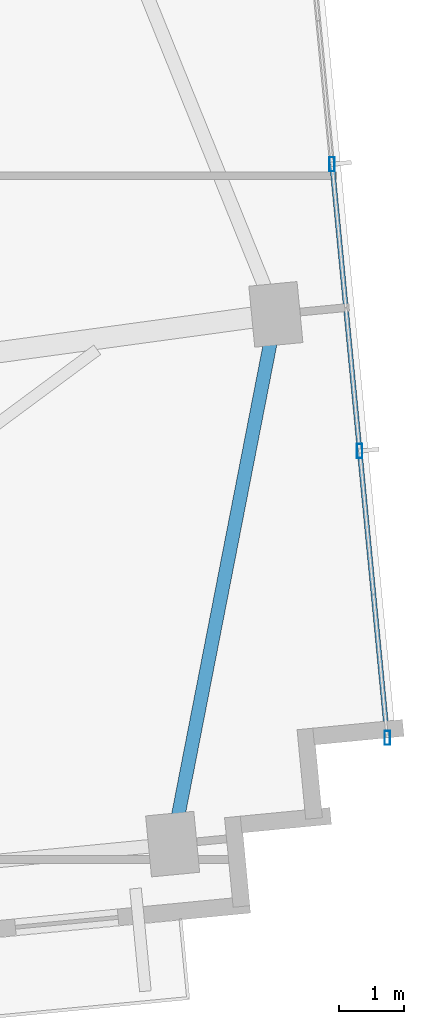
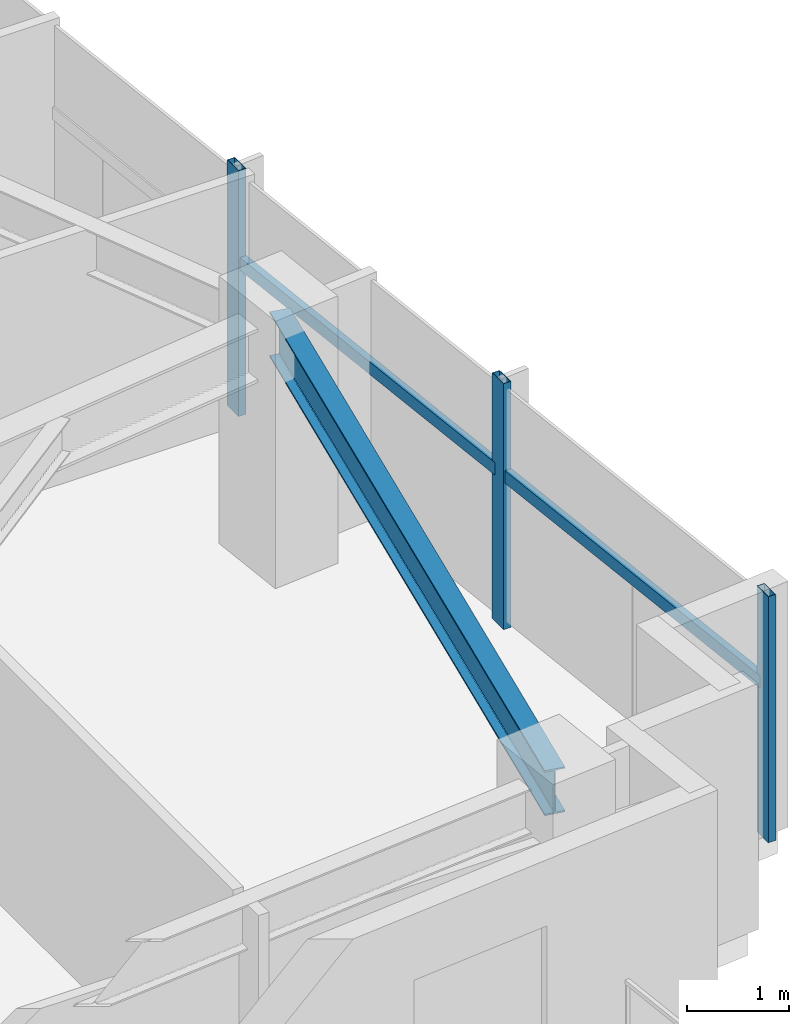
# One storey, part 10 of 18: 5 members, 1 beam, 1 element without a shape of its own.
"""IFC4 building model written with IfcOpenShell, lengths in metres."""

import ifcopenshell
import ifcopenshell.guid

model = None  # the IFC model being written
_history = None  # IfcOwnerHistory: only IFC2X3 demands one
_inside = {}  # id of a spatial element -> (the spatial element, [elements in it])
_under = {}  # id of a project, library or spatial element -> (it, [spatial elements below it])
_declared = {}  # id of a project -> (the project, [libraries it declares])
_typed = {}  # id of a type object -> (the type object, [elements of that type])
_made_of = {}  # id of a material, layer set ... -> (it, [elements and type objects made of it])


def new_model(schema):
    """Start an empty IFC model of exactly this schema.

    Asked for "IFC4X3", IfcOpenShell would pick the latest addendum, in which some entities
    have other attributes; the version numbers below select the first issue.
    IFC2X3 requires an IfcOwnerHistory on every rooted entity: one is made here for all.
    """
    global model, _history
    if schema == "IFC4X3":
        model = ifcopenshell.file(schema_version=(4, 3, 0, 0))
    else:
        model = ifcopenshell.file(schema=schema)
    _inside.clear()
    _under.clear()
    _declared.clear()
    _typed.clear()
    _made_of.clear()
    _history = None
    if model.schema == "IFC2X3":
        org = make("IfcOrganization", Name="unknown")
        user = make(
            "IfcPersonAndOrganization",
            ThePerson=make("IfcPerson", FamilyName="unknown"),
            TheOrganization=org,
        )
        app = make(
            "IfcApplication",
            ApplicationDeveloper=org,
            Version="unknown",
            ApplicationFullName="unknown",
            ApplicationIdentifier="unknown",
        )
        _history = make(
            "IfcOwnerHistory",
            OwningUser=user,
            OwningApplication=app,
            ChangeAction="ADDED",
            CreationDate=0,
        )
    return model


def make(cls, **values):
    """One entity of the class cls with the attributes given. An attribute that is None is left unset."""
    return model.create_entity(
        cls, **{name: value for name, value in values.items() if value is not None}
    )


def rooted(cls, **values):
    """An entity with a GlobalId (a new one), such as an element, a storey or a relation."""
    return make(cls, GlobalId=ifcopenshell.guid.new(), OwnerHistory=_history, **values)


def si_unit(unit_type, name, prefix=None):
    """IfcSIUnit, for example si_unit("LENGTHUNIT", "METRE", prefix="MILLI")."""
    return make("IfcSIUnit", UnitType=unit_type, Prefix=prefix, Name=name)


def assignment(units):
    """IfcUnitAssignment: the units of a project."""
    return None if units is None else make("IfcUnitAssignment", Units=units)


def point(xyz):
    """IfcCartesianPoint."""
    return None if xyz is None else make("IfcCartesianPoint", Coordinates=xyz)


def direction(xyz):
    """IfcDirection."""
    return None if xyz is None else make("IfcDirection", DirectionRatios=xyz)


def frame(location, z_axis=None, x_axis=None):
    """IfcAxis2Placement3D, a coordinate frame: its origin and axes. An axis left out is left unset."""
    return make(
        "IfcAxis2Placement3D",
        Location=point(location),
        Axis=direction(z_axis),
        RefDirection=direction(x_axis),
    )


def frame_2d(location, x_axis=None):
    """IfcAxis2Placement2D, a coordinate frame in the plane: its origin and x axis."""
    return make(
        "IfcAxis2Placement2D", Location=point(location), RefDirection=direction(x_axis)
    )


def origin():
    """The frame at (0, 0, 0) with its axes left unset."""
    return frame((0.0, 0.0, 0.0))


def origin_2d():
    """The frame at (0, 0) in the plane with its x axis left unset."""
    return frame_2d((0.0, 0.0))


def place(relative_to, where):
    """IfcLocalPlacement: puts the frame where relative to a parent placement (None: the world)."""
    return make(
        "IfcLocalPlacement", PlacementRelTo=relative_to, RelativePlacement=where
    )


def context(
    kind, dimensions, precision=None, world=None, true_north=None, identifier=None
):
    """IfcGeometricRepresentationContext, for example the 3D "Model" context."""
    return make(
        "IfcGeometricRepresentationContext",
        ContextIdentifier=identifier,
        ContextType=kind,
        CoordinateSpaceDimension=dimensions,
        Precision=precision,
        WorldCoordinateSystem=world,
        TrueNorth=true_north,
    )


def subcontext(parent, identifier, kind, view, scale=None):
    """IfcGeometricRepresentationSubContext, for example "Body" below "Model"."""
    return make(
        "IfcGeometricRepresentationSubContext",
        ContextIdentifier=identifier,
        ContextType=kind,
        ParentContext=parent,
        TargetScale=scale,
        TargetView=view,
    )


def project(units=None, contexts=None):
    """IfcProject with its units and contexts."""
    return rooted(
        "IfcProject",
        Name="project",
        RepresentationContexts=contexts,
        UnitsInContext=assignment(units),
    )


def spatial(cls, under=None, at=None, **own):
    """A site, building, storey or space (cls), placed at a placement, below another one or the project."""
    s = rooted(cls, ObjectPlacement=at, **own)
    if under is not None:
        _under.setdefault(under.id(), (under, []))[1].append(s)
    return s


def profile(cls, at=None, kind="AREA", **sizes):
    """A parametric profile (cls). Its sizes go by their IFC names, for example OverallWidth=200.0."""
    return make(cls, ProfileType=kind, Position=at, **sizes)


def hollow_rectangle(**sizes):
    """IfcRectangleHollowProfileDef."""
    return profile("IfcRectangleHollowProfileDef", **sizes)


def i_section(**sizes):
    """IfcIShapeProfileDef."""
    return profile("IfcIShapeProfileDef", **sizes)


def extrude(swept, where, along, depth):
    """IfcExtrudedAreaSolid: the profile swept, set in the frame where, extruded along a direction by depth."""
    return make(
        "IfcExtrudedAreaSolid",
        SweptArea=swept,
        Position=where,
        ExtrudedDirection=direction(along),
        Depth=depth,
    )


def shape(context_of_items, identifier, shape_type, items):
    """IfcShapeRepresentation: the items that make up one representation, for example the "Body"."""
    return make(
        "IfcShapeRepresentation",
        ContextOfItems=context_of_items,
        RepresentationIdentifier=identifier,
        RepresentationType=shape_type,
        Items=items,
    )


def source(mapping_origin, context_of_items, identifier, shape_type, items):
    """IfcRepresentationMap: a shape defined once, which mapped items show again and again."""
    return make(
        "IfcRepresentationMap",
        MappingOrigin=mapping_origin,
        MappedRepresentation=shape(context_of_items, identifier, shape_type, items),
    )


def transform(
    local_origin,
    x_axis=None,
    y_axis=None,
    z_axis=None,
    scale=None,
    scale2=None,
    scale3=None,
    uniform=True,
):
    """IfcCartesianTransformationOperator3D, or its non-uniform kind. x_axis, y_axis, z_axis: its Axis1, 2, 3."""
    if uniform:
        return make(
            "IfcCartesianTransformationOperator3D",
            Axis1=direction(x_axis),
            Axis2=direction(y_axis),
            LocalOrigin=point(local_origin),
            Scale=scale,
            Axis3=direction(z_axis),
        )
    return make(
        "IfcCartesianTransformationOperator3DnonUniform",
        Axis1=direction(x_axis),
        Axis2=direction(y_axis),
        LocalOrigin=point(local_origin),
        Scale=scale,
        Axis3=direction(z_axis),
        Scale2=scale2,
        Scale3=scale3,
    )


def mapped(mapping_source, mapping_target):
    """IfcMappedItem: shows the shape of a source again, moved by a transform."""
    return make(
        "IfcMappedItem", MappingSource=mapping_source, MappingTarget=mapping_target
    )


def material(Name=None, Category=None):
    """IfcMaterial."""
    return make("IfcMaterial", Name=Name, Category=Category)


def material_profile(
    of_material, cross_section, Name=None, Category=None, Priority=None
):
    """IfcMaterialProfile: a cross section and its material."""
    return make(
        "IfcMaterialProfile",
        Name=Name,
        Material=of_material,
        Profile=cross_section,
        Priority=Priority,
        Category=Category,
    )


def profile_set(profiles, Name=None, composite=None):
    """IfcMaterialProfileSet."""
    return make(
        "IfcMaterialProfileSet",
        Name=Name,
        MaterialProfiles=profiles,
        CompositeProfile=composite,
    )


def made_of(thing, what):
    """Note that an element or type object is made of a material, layer set ...; save() writes the relation."""
    if what is not None:
        _made_of.setdefault(what.id(), (what, []))[1].append(thing)
    return thing


def type_object(cls, material=None, **own):
    """A type object (cls), such as IfcWallType, which elements share."""
    return made_of(rooted(cls, **own), material)


def type_shapes(of_type, sources):
    """Give a type object the sources (RepresentationMaps) that its elements show as mapped items."""
    of_type.RepresentationMaps = sources


def element(
    cls,
    number,
    at=None,
    inside=None,
    cuts=None,
    type_object=None,
    material=None,
    context=None,
    identifier="Body",
    shape_type=None,
    held_by="IfcProductDefinitionShape",
    body=None,
    shapes=None,
    **own,
):
    """One element of the class cls, such as IfcWall. Its Tag is "e" and its number.

    at: its placement. inside: the storey or other place that contains it. cuts: it is an
    opening in that element (IfcRelVoidsElement). A single representation is given by context,
    identifier, shape_type and body (its items); several are given by shapes. held_by: the class
    of the entity that holds the representations. save() writes the other relations.
    """
    e = rooted(cls, Tag="e%d" % number, ObjectPlacement=at, **own)
    if body is not None:
        shapes = [shape(context, identifier, shape_type, body)]
    if shapes is not None:
        e.Representation = make(held_by, Representations=shapes)
    if inside is not None:
        _inside.setdefault(inside.id(), (inside, []))[1].append(e)
    if cuts is not None:
        rooted(
            "IfcRelVoidsElement", RelatingBuildingElement=cuts, RelatedOpeningElement=e
        )
    if type_object is not None:
        _typed.setdefault(type_object.id(), (type_object, []))[1].append(e)
    return made_of(e, material)


def aggregate(whole, parts):
    """IfcRelAggregates: a whole, such as a stair, and the parts it consists of."""
    return rooted("IfcRelAggregates", RelatingObject=whole, RelatedObjects=parts)


def save(model, path):
    """Write the relations noted so far, then the file.

    IfcRelAggregates (storeys below a building ...), IfcRelContainedInSpatialStructure (elements
    in a storey), IfcRelDefinesByType, IfcRelAssociatesMaterial and IfcRelDeclares: one each for
    every whole, place, type object, material and project.
    """
    for whole, parts in _under.values():
        aggregate(whole, parts)
    for where, things in _inside.values():
        rooted(
            "IfcRelContainedInSpatialStructure",
            RelatedElements=things,
            RelatingStructure=where,
        )
    for kind, things in _typed.values():
        rooted("IfcRelDefinesByType", RelatedObjects=things, RelatingType=kind)
    for what, things in _made_of.values():
        rooted("IfcRelAssociatesMaterial", RelatedObjects=things, RelatingMaterial=what)
    for by, libraries in _declared.values():
        rooted("IfcRelDeclares", RelatingContext=by, RelatedDefinitions=libraries)
    model.write(path)


model = new_model("IFC4")

# Units and contexts
model_context = context("Model", 3, precision=1e-05, world=origin(), true_north=direction((0.0, 1.0)))
body_context = subcontext(model_context, "Body", "Model", "MODEL_VIEW")
ifc_project = project(units=[si_unit("LENGTHUNIT", "METRE"), si_unit("AREAUNIT", "SQUARE_METRE"), si_unit("VOLUMEUNIT", "CUBIC_METRE"), si_unit("PLANEANGLEUNIT", "RADIAN"), si_unit("MASSUNIT", "GRAM", prefix="KILO")], contexts=[model_context])

# Site, building, storey
site_placement = place(None, origin())
site = spatial("IfcSite", under=ifc_project, at=site_placement, CompositionType="ELEMENT")
building_placement = place(site_placement, origin())
building = spatial("IfcBuilding", under=site, at=building_placement, Name="Astriad Promenade Condominiums", CompositionType="ELEMENT")
storey_placement = place(building_placement, frame((0.0, 0.0, 173.0)))
storey = spatial("IfcBuildingStorey", under=building, at=storey_placement, Name="L49", CompositionType="ELEMENT", Elevation=173.0)

# Beam
ifc_material_1 = material(Name="Steel ASTM A992 Grade 50", Category="steel")
ifc_material_profile_1 = material_profile(ifc_material_1, i_section(OverallWidth=0.210693359375, OverallDepth=0.53955078125, WebThickness=0.01171875, FlangeThickness=0.018798828125, FilletRadius=0.0166015625, at=origin_2d()), Name="W21X73")
ifc_profile_set_1 = profile_set([ifc_material_profile_1], Name="Steel ASTM A992 Grade 50")
beam_type = type_object("IfcBeamType", Name="STEEL SPANDREL BEAM W21X73", PredefinedType="SPANDREL", material=ifc_profile_set_1)
shared_shape_1 = source(origin(), body_context, "Body", "SweptSolid", [
    extrude(i_section(OverallWidth=0.210693359375, OverallDepth=0.53955078125, WebThickness=0.01171875, FlangeThickness=0.018798828125, FilletRadius=0.0166015625, at=origin_2d()), origin(), (0.0, 0.0, 1.0), 8.28564453125),
])
type_shapes(beam_type, [shared_shape_1])
beam_placement = place(storey_placement, frame((61.775634765625, 11.6552734375, 2.67041015625), z_axis=(0.191291582099, 0.981533254973, 0.0), x_axis=(-0.981533254973, 0.191291582099, 0.0)))
element("IfcBeam", 1, at=beam_placement, inside=storey, type_object=beam_type, Name="Perimeter Spandrel Beam SP-E1-L49", PredefinedType="SPANDREL", context=body_context, shape_type="MappedRepresentation", body=[
    mapped(shared_shape_1, transform((0.0, 0.0, 0.0), scale=1.0)),
])

# Curtain wall, members
ifc_material_2 = material(Name="Anodised aluminium Black Dark Glass Unitised", Category="aluminium")
curtain_wall_type = type_object("IfcCurtainWallType", Name="CW-B34-DARK", PredefinedType="USERDEFINED", material=ifc_material_2)
curtain_wall_placement = place(storey_placement, origin())
curtain_wall = element("IfcCurtainWall", 2, at=curtain_wall_placement, inside=storey, type_object=curtain_wall_type, Name="CW-L49-E", ObjectType="UNITISED_CURTAIN_WALL", PredefinedType="USERDEFINED")
ifc_material_3 = material(Name="Anodised aluminium 6063-T6 Black", Category="aluminium")
ifc_material_profile_2 = material_profile(ifc_material_3, hollow_rectangle(XDim=0.0849609375, YDim=0.219970703125, WallThickness=0.0048828125, at=origin_2d()), Name="ALU-MUL-85X220")
ifc_profile_set_2 = profile_set([ifc_material_profile_2], Name="Anodised aluminium 6063-T6 Black")
member_type_1 = type_object("IfcMemberType", Name="MUL-ALU-MUL-85X220", PredefinedType="MULLION", material=ifc_profile_set_2)
shared_shape_2 = source(origin(), body_context, "Body", "SweptSolid", [
    extrude(hollow_rectangle(XDim=0.0849609375, YDim=0.219970703125, WallThickness=0.0048828125, at=origin_2d()), origin(), (0.0, 0.0, 1.0), 2.93994140625),
])
type_shapes(member_type_1, [shared_shape_2])
member_1_placement = place(storey_placement, frame((64.239013671875, 22.154541015625, 0.0), z_axis=(0.0, 0.0, 1.0), x_axis=(1.0, 0.0, 0.0)))
member_1 = element("IfcMember", 3, at=member_1_placement, type_object=member_type_1, Name="CW-L49-E-MUL-01", PredefinedType="MULLION", context=body_context, shape_type="MappedRepresentation", body=[
    mapped(shared_shape_2, transform((0.0, 0.0, 0.0), scale=1.0)),
])
member_2_placement = place(storey_placement, frame((64.667236328125, 17.70849609375, 0.0), z_axis=(0.0, 0.0, 1.0), x_axis=(1.0, 0.0, 0.0)))
member_2 = element("IfcMember", 4, at=member_2_placement, type_object=member_type_1, Name="CW-L49-E-MUL-02", PredefinedType="MULLION", context=body_context, shape_type="MappedRepresentation", body=[
    mapped(shared_shape_2, transform((0.0, 0.0, 0.0), scale=1.0)),
])
member_3_placement = place(storey_placement, frame((65.095458984375, 13.262451171875, 0.0), z_axis=(0.0, 0.0, 1.0), x_axis=(1.0, 0.0, 0.0)))
member_3 = element("IfcMember", 5, at=member_3_placement, type_object=member_type_1, Name="CW-L49-E-MUL-03", PredefinedType="MULLION", context=body_context, shape_type="MappedRepresentation", body=[
    mapped(shared_shape_2, transform((0.0, 0.0, 0.0), scale=1.0)),
])
ifc_material_profile_3 = material_profile(ifc_material_3, hollow_rectangle(XDim=0.074951171875, YDim=0.14990234375, WallThickness=0.004150390625, at=origin_2d()), Name="ALU-TRN-75X150")
ifc_profile_set_3 = profile_set([ifc_material_profile_3], Name="Anodised aluminium 6063-T6 Black")
member_type_2 = type_object("IfcMemberType", Name="TRN-ALU-TRN-75X150", PredefinedType="USERDEFINED", material=ifc_profile_set_3)
shared_shape_3 = source(origin(), body_context, "Body", "SweptSolid", [
    extrude(hollow_rectangle(XDim=0.074951171875, YDim=0.14990234375, WallThickness=0.004150390625, at=origin_2d()), origin(), (0.0, 0.0, 1.0), 4.466552734375),
])
type_shapes(member_type_2, [shared_shape_3])
member_4_placement = place(storey_placement, frame((64.239013671875, 22.154541015625, 1.82275390625), z_axis=(0.095871755514, -0.995393694221, 0.0), x_axis=(0.995393694221, 0.095871755514, 0.0)))
member_4 = element("IfcMember", 6, at=member_4_placement, type_object=member_type_2, Name="CW-L49-E-TRN-01-0", ObjectType="TRANSOM", PredefinedType="USERDEFINED", context=body_context, shape_type="MappedRepresentation", body=[
    mapped(shared_shape_3, transform((0.0, 0.0, 0.0), scale=1.0)),
])
member_5_placement = place(storey_placement, frame((64.667236328125, 17.70849609375, 1.82275390625), z_axis=(0.095871755514, -0.995393694221, 0.0), x_axis=(0.995393694221, 0.095871755514, 0.0)))
member_5 = element("IfcMember", 7, at=member_5_placement, type_object=member_type_2, Name="CW-L49-E-TRN-02-0", ObjectType="TRANSOM", PredefinedType="USERDEFINED", context=body_context, shape_type="MappedRepresentation", body=[
    mapped(shared_shape_3, transform((0.0, 0.0, 0.0), scale=1.0)),
])
aggregate(curtain_wall, [member_1, member_2, member_3, member_4, member_5])

save(model, "model.ifc")
